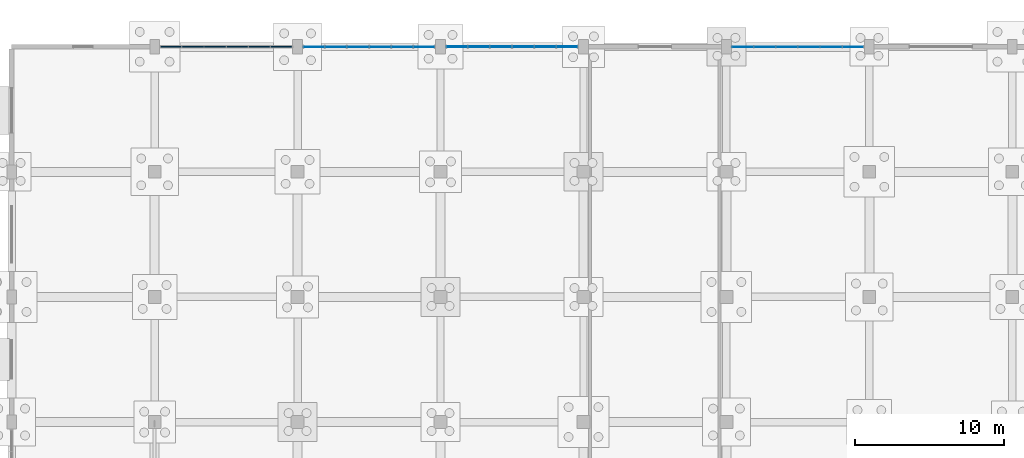
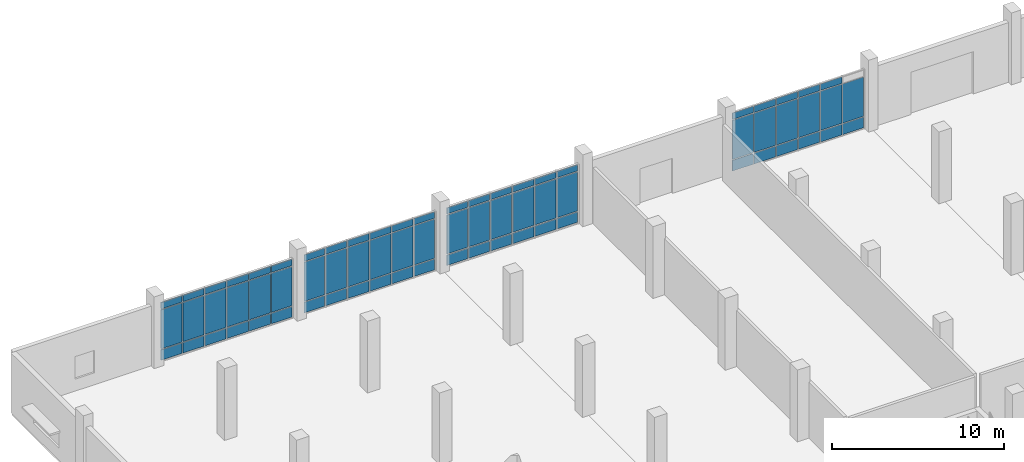
# One storey, part 91 of 136: 71 plates, 4 elements without a shape of their own.
"""IFC4 building model written with IfcOpenShell, lengths in metres."""

from ifc_helpers import new_model, si_unit, direction, frame, origin, origin_2d, place, context, subcontext, project, spatial, rectangle, extrude, material, layer, layer_set, type_object, element, aggregate, save


model = new_model("IFC4")

# Units and contexts
model_context = context("Model", 3, precision=1e-05, world=origin(), true_north=direction((0.0, 1.0)))
body_context = subcontext(model_context, "Body", "Model", "MODEL_VIEW")
ifc_project = project(units=[si_unit("LENGTHUNIT", "METRE"), si_unit("AREAUNIT", "SQUARE_METRE"), si_unit("VOLUMEUNIT", "CUBIC_METRE"), si_unit("PLANEANGLEUNIT", "RADIAN"), si_unit("MASSUNIT", "GRAM", prefix="KILO")], contexts=[model_context])

# Site, building, storey
site_placement = place(None, origin())
site = spatial("IfcSite", under=ifc_project, at=site_placement, CompositionType="ELEMENT")
building_placement = place(site_placement, origin())
building = spatial("IfcBuilding", under=site, at=building_placement, Name="Oolite Switchyard Hospital", CompositionType="ELEMENT")
storey_placement = place(building_placement, origin())
storey = spatial("IfcBuildingStorey", under=building, at=storey_placement, Name="L00", CompositionType="ELEMENT", Elevation=0.0)

# Curtain wall, plates
ifc_material_1 = material(Name="Thermally broken aluminum frame with laminated impact glazing", Category="aluminium")
curtain_wall_type = type_object("IfcCurtainWallType", Name="CW-UNIT-96X51", PredefinedType="USERDEFINED", material=ifc_material_1)
curtain_wall_1_placement = place(storey_placement, origin())
curtain_wall_1 = element("IfcCurtainWall", 1, at=curtain_wall_1_placement, inside=storey, type_object=curtain_wall_type, Name="L00 Unitised Curtain Wall 45", ObjectType="UNITISED", PredefinedType="USERDEFINED")
ifc_material_2 = material(Name="Insulated fluoropolymer-coated aluminum spandrel panel", Category="aluminium")
ifc_layer_1 = layer(ifc_material_2, 0.070068359375)
ifc_layer_set_1 = layer_set([ifc_layer_1], Name="CW-PNL-SPN70")
plate_type_1 = type_object("IfcPlateType", Name="CW-PNL-SPN70", PredefinedType="CURTAIN_PANEL", material=ifc_layer_set_1)
plate_1_placement = place(storey_placement, frame((10.6982421875, 134.39990234375, 0.0751953125), z_axis=(0.0, 0.0, 1.0), x_axis=(1.0, 0.0, 0.0)))
plate_1 = element("IfcPlate", 2, at=plate_1_placement, type_object=plate_type_1, Name="CW-01 panel 1.1", PredefinedType="CURTAIN_PANEL", context=body_context, shape_type="SweptSolid", body=[
    extrude(rectangle(XDim=1.396728515625, YDim=0.070068359375, at=origin_2d()), origin(), (0.0, 0.0, 1.0), 0.737548828125),
])
plate_2_placement = place(storey_placement, frame((10.6982421875, 134.39990234375, 0.8876953125), z_axis=(0.0, 0.0, 1.0), x_axis=(1.0, 0.0, 0.0)))
plate_2 = element("IfcPlate", 3, at=plate_2_placement, type_object=plate_type_1, Name="CW-01 panel 1.2", PredefinedType="CURTAIN_PANEL", context=body_context, shape_type="SweptSolid", body=[
    extrude(rectangle(XDim=1.396728515625, YDim=0.070068359375, at=origin_2d()), origin(), (0.0, 0.0, 1.0), 2.764892578125),
])
plate_3_placement = place(storey_placement, frame((10.6982421875, 134.39990234375, 3.7275390625), z_axis=(0.0, 0.0, 1.0), x_axis=(1.0, 0.0, 0.0)))
plate_3 = element("IfcPlate", 4, at=plate_3_placement, type_object=plate_type_1, Name="CW-01 panel 1.3", PredefinedType="CURTAIN_PANEL", context=body_context, shape_type="SweptSolid", body=[
    extrude(rectangle(XDim=1.396728515625, YDim=0.070068359375, at=origin_2d()), origin(), (0.0, 0.0, 1.0), 0.4375),
])
plate_4_placement = place(storey_placement, frame((12.169921875, 134.39990234375, 0.0751953125), z_axis=(0.0, 0.0, 1.0), x_axis=(1.0, 0.0, 0.0)))
plate_4 = element("IfcPlate", 5, at=plate_4_placement, type_object=plate_type_1, Name="CW-01 panel 2.1", PredefinedType="CURTAIN_PANEL", context=body_context, shape_type="SweptSolid", body=[
    extrude(rectangle(XDim=1.4267578125, YDim=0.070068359375, at=origin_2d()), origin(), (0.0, 0.0, 1.0), 0.737548828125),
])
plate_5_placement = place(storey_placement, frame((12.169921875, 134.39990234375, 0.8876953125), z_axis=(0.0, 0.0, 1.0), x_axis=(1.0, 0.0, 0.0)))
plate_5 = element("IfcPlate", 6, at=plate_5_placement, type_object=plate_type_1, Name="CW-01 panel 2.2", PredefinedType="CURTAIN_PANEL", context=body_context, shape_type="SweptSolid", body=[
    extrude(rectangle(XDim=1.4267578125, YDim=0.070068359375, at=origin_2d()), origin(), (0.0, 0.0, 1.0), 2.764892578125),
])
plate_6_placement = place(storey_placement, frame((12.169921875, 134.39990234375, 3.7275390625), z_axis=(0.0, 0.0, 1.0), x_axis=(1.0, 0.0, 0.0)))
plate_6 = element("IfcPlate", 7, at=plate_6_placement, type_object=plate_type_1, Name="CW-01 panel 2.3", PredefinedType="CURTAIN_PANEL", context=body_context, shape_type="SweptSolid", body=[
    extrude(rectangle(XDim=1.4267578125, YDim=0.070068359375, at=origin_2d()), origin(), (0.0, 0.0, 1.0), 0.4375),
])
plate_7_placement = place(storey_placement, frame((13.65673828125, 134.39990234375, 0.0751953125), z_axis=(0.0, 0.0, 1.0), x_axis=(1.0, 0.0, 0.0)))
plate_7 = element("IfcPlate", 8, at=plate_7_placement, type_object=plate_type_1, Name="CW-01 panel 3.1", PredefinedType="CURTAIN_PANEL", context=body_context, shape_type="SweptSolid", body=[
    extrude(rectangle(XDim=1.4267578125, YDim=0.070068359375, at=origin_2d()), origin(), (0.0, 0.0, 1.0), 0.737548828125),
])
plate_8_placement = place(storey_placement, frame((13.65673828125, 134.39990234375, 0.8876953125), z_axis=(0.0, 0.0, 1.0), x_axis=(1.0, 0.0, 0.0)))
plate_8 = element("IfcPlate", 9, at=plate_8_placement, type_object=plate_type_1, Name="CW-01 panel 3.2", PredefinedType="CURTAIN_PANEL", context=body_context, shape_type="SweptSolid", body=[
    extrude(rectangle(XDim=1.4267578125, YDim=0.070068359375, at=origin_2d()), origin(), (0.0, 0.0, 1.0), 2.764892578125),
])
plate_9_placement = place(storey_placement, frame((13.65673828125, 134.39990234375, 3.7275390625), z_axis=(0.0, 0.0, 1.0), x_axis=(1.0, 0.0, 0.0)))
plate_9 = element("IfcPlate", 10, at=plate_9_placement, type_object=plate_type_1, Name="CW-01 panel 3.3", PredefinedType="CURTAIN_PANEL", context=body_context, shape_type="SweptSolid", body=[
    extrude(rectangle(XDim=1.4267578125, YDim=0.070068359375, at=origin_2d()), origin(), (0.0, 0.0, 1.0), 0.4375),
])
plate_10_placement = place(storey_placement, frame((15.143310546875, 134.39990234375, 0.0751953125), z_axis=(0.0, 0.0, 1.0), x_axis=(1.0, 0.0, 0.0)))
plate_10 = element("IfcPlate", 11, at=plate_10_placement, type_object=plate_type_1, Name="CW-01 panel 4.1", PredefinedType="CURTAIN_PANEL", context=body_context, shape_type="SweptSolid", body=[
    extrude(rectangle(XDim=1.4267578125, YDim=0.070068359375, at=origin_2d()), origin(), (0.0, 0.0, 1.0), 0.737548828125),
])
plate_11_placement = place(storey_placement, frame((15.143310546875, 134.39990234375, 0.8876953125), z_axis=(0.0, 0.0, 1.0), x_axis=(1.0, 0.0, 0.0)))
plate_11 = element("IfcPlate", 12, at=plate_11_placement, type_object=plate_type_1, Name="CW-01 panel 4.2", PredefinedType="CURTAIN_PANEL", context=body_context, shape_type="SweptSolid", body=[
    extrude(rectangle(XDim=1.4267578125, YDim=0.070068359375, at=origin_2d()), origin(), (0.0, 0.0, 1.0), 2.764892578125),
])
plate_12_placement = place(storey_placement, frame((15.143310546875, 134.39990234375, 3.7275390625), z_axis=(0.0, 0.0, 1.0), x_axis=(1.0, 0.0, 0.0)))
plate_12 = element("IfcPlate", 13, at=plate_12_placement, type_object=plate_type_1, Name="CW-01 panel 4.3", PredefinedType="CURTAIN_PANEL", context=body_context, shape_type="SweptSolid", body=[
    extrude(rectangle(XDim=1.4267578125, YDim=0.070068359375, at=origin_2d()), origin(), (0.0, 0.0, 1.0), 0.4375),
])
plate_13_placement = place(storey_placement, frame((16.6298828125, 134.39990234375, 0.0751953125), z_axis=(0.0, 0.0, 1.0), x_axis=(1.0, 0.0, 0.0)))
plate_13 = element("IfcPlate", 14, at=plate_13_placement, type_object=plate_type_1, Name="CW-01 panel 5.1", PredefinedType="CURTAIN_PANEL", context=body_context, shape_type="SweptSolid", body=[
    extrude(rectangle(XDim=1.4267578125, YDim=0.070068359375, at=origin_2d()), origin(), (0.0, 0.0, 1.0), 0.737548828125),
])
plate_14_placement = place(storey_placement, frame((16.6298828125, 134.39990234375, 0.8876953125), z_axis=(0.0, 0.0, 1.0), x_axis=(1.0, 0.0, 0.0)))
plate_14 = element("IfcPlate", 15, at=plate_14_placement, type_object=plate_type_1, Name="CW-01 panel 5.2", PredefinedType="CURTAIN_PANEL", context=body_context, shape_type="SweptSolid", body=[
    extrude(rectangle(XDim=1.4267578125, YDim=0.070068359375, at=origin_2d()), origin(), (0.0, 0.0, 1.0), 2.764892578125),
])
plate_15_placement = place(storey_placement, frame((16.6298828125, 134.39990234375, 3.7275390625), z_axis=(0.0, 0.0, 1.0), x_axis=(1.0, 0.0, 0.0)))
plate_15 = element("IfcPlate", 16, at=plate_15_placement, type_object=plate_type_1, Name="CW-01 panel 5.3", PredefinedType="CURTAIN_PANEL", context=body_context, shape_type="SweptSolid", body=[
    extrude(rectangle(XDim=1.4267578125, YDim=0.070068359375, at=origin_2d()), origin(), (0.0, 0.0, 1.0), 0.4375),
])
plate_16_placement = place(storey_placement, frame((18.1015625, 134.39990234375, 0.0751953125), z_axis=(0.0, 0.0, 1.0), x_axis=(1.0, 0.0, 0.0)))
plate_16 = element("IfcPlate", 17, at=plate_16_placement, type_object=plate_type_1, Name="CW-01 panel 6.1", PredefinedType="CURTAIN_PANEL", context=body_context, shape_type="SweptSolid", body=[
    extrude(rectangle(XDim=1.396728515625, YDim=0.070068359375, at=origin_2d()), origin(), (0.0, 0.0, 1.0), 0.737548828125),
])
plate_17_placement = place(storey_placement, frame((18.1015625, 134.39990234375, 0.8876953125), z_axis=(0.0, 0.0, 1.0), x_axis=(1.0, 0.0, 0.0)))
plate_17 = element("IfcPlate", 18, at=plate_17_placement, type_object=plate_type_1, Name="CW-01 panel 6.2", PredefinedType="CURTAIN_PANEL", context=body_context, shape_type="SweptSolid", body=[
    extrude(rectangle(XDim=1.396728515625, YDim=0.070068359375, at=origin_2d()), origin(), (0.0, 0.0, 1.0), 2.764892578125),
])
plate_18_placement = place(storey_placement, frame((18.1015625, 134.39990234375, 3.7275390625), z_axis=(0.0, 0.0, 1.0), x_axis=(1.0, 0.0, 0.0)))
plate_18 = element("IfcPlate", 19, at=plate_18_placement, type_object=plate_type_1, Name="CW-01 panel 6.3", PredefinedType="CURTAIN_PANEL", context=body_context, shape_type="SweptSolid", body=[
    extrude(rectangle(XDim=1.396728515625, YDim=0.070068359375, at=origin_2d()), origin(), (0.0, 0.0, 1.0), 0.4375),
])
aggregate(curtain_wall_1, [plate_1, plate_2, plate_3, plate_4, plate_5, plate_6, plate_7, plate_8, plate_9, plate_10, plate_11, plate_12, plate_13, plate_14, plate_15, plate_16, plate_17, plate_18])

curtain_wall_2_placement = place(storey_placement, origin())
curtain_wall_2 = element("IfcCurtainWall", 20, at=curtain_wall_2_placement, inside=storey, type_object=curtain_wall_type, Name="L00 Unitised Curtain Wall 48", ObjectType="UNITISED", PredefinedType="USERDEFINED")
ifc_material_3 = material(Name="Laminated hurricane-impact insulated glazing unit", Category="glass")
ifc_layer_2 = layer(ifc_material_3, 0.028076171875)
ifc_layer_set_2 = layer_set([ifc_layer_2], Name="CW-PNL-VIS28")
plate_type_2 = type_object("IfcPlateType", Name="CW-PNL-VIS28", PredefinedType="CURTAIN_PANEL", material=ifc_layer_set_2)
plate_19_placement = place(storey_placement, frame((49.098388671875, 134.39990234375, 0.06005859375), z_axis=(0.0, 0.0, 1.0), x_axis=(1.0, 0.0, 0.0)))
plate_19 = element("IfcPlate", 21, at=plate_19_placement, type_object=plate_type_2, Name="CW-01 panel 1.1", PredefinedType="CURTAIN_PANEL", context=body_context, shape_type="SweptSolid", body=[
    extrude(rectangle(XDim=1.396728515625, YDim=0.028076171875, at=origin_2d()), origin(), (0.0, 0.0, 1.0), 0.760009765625),
])
plate_20_placement = place(storey_placement, frame((49.098388671875, 134.39990234375, 0.8798828125), z_axis=(0.0, 0.0, 1.0), x_axis=(1.0, 0.0, 0.0)))
plate_20 = element("IfcPlate", 22, at=plate_20_placement, type_object=plate_type_2, Name="CW-01 panel 1.2", PredefinedType="CURTAIN_PANEL", context=body_context, shape_type="SweptSolid", body=[
    extrude(rectangle(XDim=1.396728515625, YDim=0.028076171875, at=origin_2d()), origin(), (0.0, 0.0, 1.0), 2.780029296875),
])
plate_21_placement = place(storey_placement, frame((49.098388671875, 134.39990234375, 3.719970703125), z_axis=(0.0, 0.0, 1.0), x_axis=(1.0, 0.0, 0.0)))
plate_21 = element("IfcPlate", 23, at=plate_21_placement, type_object=plate_type_2, Name="CW-01 panel 1.3", PredefinedType="CURTAIN_PANEL", context=body_context, shape_type="SweptSolid", body=[
    extrude(rectangle(XDim=1.396728515625, YDim=0.028076171875, at=origin_2d()), origin(), (0.0, 0.0, 1.0), 0.4599609375),
])
plate_22_placement = place(storey_placement, frame((50.570068359375, 134.39990234375, 0.06005859375), z_axis=(0.0, 0.0, 1.0), x_axis=(1.0, 0.0, 0.0)))
plate_22 = element("IfcPlate", 24, at=plate_22_placement, type_object=plate_type_2, Name="CW-01 panel 2.1", PredefinedType="CURTAIN_PANEL", context=body_context, shape_type="SweptSolid", body=[
    extrude(rectangle(XDim=1.4267578125, YDim=0.028076171875, at=origin_2d()), origin(), (0.0, 0.0, 1.0), 0.760009765625),
])
plate_23_placement = place(storey_placement, frame((50.570068359375, 134.39990234375, 0.8798828125), z_axis=(0.0, 0.0, 1.0), x_axis=(1.0, 0.0, 0.0)))
plate_23 = element("IfcPlate", 25, at=plate_23_placement, type_object=plate_type_2, Name="CW-01 panel 2.2", PredefinedType="CURTAIN_PANEL", context=body_context, shape_type="SweptSolid", body=[
    extrude(rectangle(XDim=1.4267578125, YDim=0.028076171875, at=origin_2d()), origin(), (0.0, 0.0, 1.0), 2.780029296875),
])
plate_24_placement = place(storey_placement, frame((50.570068359375, 134.39990234375, 3.719970703125), z_axis=(0.0, 0.0, 1.0), x_axis=(1.0, 0.0, 0.0)))
plate_24 = element("IfcPlate", 26, at=plate_24_placement, type_object=plate_type_2, Name="CW-01 panel 2.3", PredefinedType="CURTAIN_PANEL", context=body_context, shape_type="SweptSolid", body=[
    extrude(rectangle(XDim=1.4267578125, YDim=0.028076171875, at=origin_2d()), origin(), (0.0, 0.0, 1.0), 0.4599609375),
])
plate_25_placement = place(storey_placement, frame((52.056640625, 134.39990234375, 0.06005859375), z_axis=(0.0, 0.0, 1.0), x_axis=(1.0, 0.0, 0.0)))
plate_25 = element("IfcPlate", 27, at=plate_25_placement, type_object=plate_type_2, Name="CW-01 panel 3.1", PredefinedType="CURTAIN_PANEL", context=body_context, shape_type="SweptSolid", body=[
    extrude(rectangle(XDim=1.4267578125, YDim=0.028076171875, at=origin_2d()), origin(), (0.0, 0.0, 1.0), 0.760009765625),
])
plate_26_placement = place(storey_placement, frame((52.056640625, 134.39990234375, 0.8798828125), z_axis=(0.0, 0.0, 1.0), x_axis=(1.0, 0.0, 0.0)))
plate_26 = element("IfcPlate", 28, at=plate_26_placement, type_object=plate_type_2, Name="CW-01 panel 3.2", PredefinedType="CURTAIN_PANEL", context=body_context, shape_type="SweptSolid", body=[
    extrude(rectangle(XDim=1.4267578125, YDim=0.028076171875, at=origin_2d()), origin(), (0.0, 0.0, 1.0), 2.780029296875),
])
plate_27_placement = place(storey_placement, frame((52.056640625, 134.39990234375, 3.719970703125), z_axis=(0.0, 0.0, 1.0), x_axis=(1.0, 0.0, 0.0)))
plate_27 = element("IfcPlate", 29, at=plate_27_placement, type_object=plate_type_2, Name="CW-01 panel 3.3", PredefinedType="CURTAIN_PANEL", context=body_context, shape_type="SweptSolid", body=[
    extrude(rectangle(XDim=1.4267578125, YDim=0.028076171875, at=origin_2d()), origin(), (0.0, 0.0, 1.0), 0.4599609375),
])
plate_28_placement = place(storey_placement, frame((53.543212890625, 134.39990234375, 0.06005859375), z_axis=(0.0, 0.0, 1.0), x_axis=(1.0, 0.0, 0.0)))
plate_28 = element("IfcPlate", 30, at=plate_28_placement, type_object=plate_type_2, Name="CW-01 panel 4.1", PredefinedType="CURTAIN_PANEL", context=body_context, shape_type="SweptSolid", body=[
    extrude(rectangle(XDim=1.4267578125, YDim=0.028076171875, at=origin_2d()), origin(), (0.0, 0.0, 1.0), 0.760009765625),
])
plate_29_placement = place(storey_placement, frame((53.543212890625, 134.39990234375, 0.8798828125), z_axis=(0.0, 0.0, 1.0), x_axis=(1.0, 0.0, 0.0)))
plate_29 = element("IfcPlate", 31, at=plate_29_placement, type_object=plate_type_2, Name="CW-01 panel 4.2", PredefinedType="CURTAIN_PANEL", context=body_context, shape_type="SweptSolid", body=[
    extrude(rectangle(XDim=1.4267578125, YDim=0.028076171875, at=origin_2d()), origin(), (0.0, 0.0, 1.0), 2.780029296875),
])
plate_30_placement = place(storey_placement, frame((53.543212890625, 134.39990234375, 3.719970703125), z_axis=(0.0, 0.0, 1.0), x_axis=(1.0, 0.0, 0.0)))
plate_30 = element("IfcPlate", 32, at=plate_30_placement, type_object=plate_type_2, Name="CW-01 panel 4.3", PredefinedType="CURTAIN_PANEL", context=body_context, shape_type="SweptSolid", body=[
    extrude(rectangle(XDim=1.4267578125, YDim=0.028076171875, at=origin_2d()), origin(), (0.0, 0.0, 1.0), 0.4599609375),
])
plate_31_placement = place(storey_placement, frame((55.030029296875, 134.39990234375, 0.06005859375), z_axis=(0.0, 0.0, 1.0), x_axis=(1.0, 0.0, 0.0)))
plate_31 = element("IfcPlate", 33, at=plate_31_placement, type_object=plate_type_2, Name="CW-01 panel 5.1", PredefinedType="CURTAIN_PANEL", context=body_context, shape_type="SweptSolid", body=[
    extrude(rectangle(XDim=1.4267578125, YDim=0.028076171875, at=origin_2d()), origin(), (0.0, 0.0, 1.0), 0.760009765625),
])
plate_32_placement = place(storey_placement, frame((55.030029296875, 134.39990234375, 0.8798828125), z_axis=(0.0, 0.0, 1.0), x_axis=(1.0, 0.0, 0.0)))
plate_32 = element("IfcPlate", 34, at=plate_32_placement, type_object=plate_type_2, Name="CW-01 panel 5.2", PredefinedType="CURTAIN_PANEL", context=body_context, shape_type="SweptSolid", body=[
    extrude(rectangle(XDim=1.4267578125, YDim=0.028076171875, at=origin_2d()), origin(), (0.0, 0.0, 1.0), 2.780029296875),
])
plate_33_placement = place(storey_placement, frame((55.030029296875, 134.39990234375, 3.719970703125), z_axis=(0.0, 0.0, 1.0), x_axis=(1.0, 0.0, 0.0)))
plate_33 = element("IfcPlate", 35, at=plate_33_placement, type_object=plate_type_2, Name="CW-01 panel 5.3", PredefinedType="CURTAIN_PANEL", context=body_context, shape_type="SweptSolid", body=[
    extrude(rectangle(XDim=1.4267578125, YDim=0.028076171875, at=origin_2d()), origin(), (0.0, 0.0, 1.0), 0.4599609375),
])
plate_34_placement = place(storey_placement, frame((56.501708984375, 134.39990234375, 0.06005859375), z_axis=(0.0, 0.0, 1.0), x_axis=(1.0, 0.0, 0.0)))
plate_34 = element("IfcPlate", 36, at=plate_34_placement, type_object=plate_type_2, Name="CW-01 panel 6.1", PredefinedType="CURTAIN_PANEL", context=body_context, shape_type="SweptSolid", body=[
    extrude(rectangle(XDim=1.396728515625, YDim=0.028076171875, at=origin_2d()), origin(), (0.0, 0.0, 1.0), 0.760009765625),
])
plate_35_placement = place(storey_placement, frame((56.501708984375, 134.39990234375, 0.8798828125), z_axis=(0.0, 0.0, 1.0), x_axis=(1.0, 0.0, 0.0)))
plate_35 = element("IfcPlate", 37, at=plate_35_placement, type_object=plate_type_2, Name="CW-01 panel 6.2", PredefinedType="CURTAIN_PANEL", context=body_context, shape_type="SweptSolid", body=[
    extrude(rectangle(XDim=1.396728515625, YDim=0.028076171875, at=origin_2d()), origin(), (0.0, 0.0, 1.0), 2.780029296875),
])
aggregate(curtain_wall_2, [plate_19, plate_20, plate_21, plate_22, plate_23, plate_24, plate_25, plate_26, plate_27, plate_28, plate_29, plate_30, plate_31, plate_32, plate_33, plate_34, plate_35])

curtain_wall_3_placement = place(storey_placement, origin())
curtain_wall_3 = element("IfcCurtainWall", 38, at=curtain_wall_3_placement, inside=storey, type_object=curtain_wall_type, Name="L00 Unitised Curtain Wall 46", ObjectType="UNITISED", PredefinedType="USERDEFINED")
ifc_layer_3 = layer(ifc_material_3, 0.031982421875)
ifc_layer_set_3 = layer_set([ifc_layer_3], Name="CW-PNL-VIS32")
plate_type_3 = type_object("IfcPlateType", Name="CW-PNL-VIS32", PredefinedType="CURTAIN_PANEL", material=ifc_layer_set_3)
plate_36_placement = place(storey_placement, frame((20.30078125, 134.39990234375, 0.06005859375), z_axis=(0.0, 0.0, 1.0), x_axis=(1.0, 0.0, 0.0)))
plate_36 = element("IfcPlate", 39, at=plate_36_placement, type_object=plate_type_3, Name="CW-01 panel 1.1", PredefinedType="CURTAIN_PANEL", context=body_context, shape_type="SweptSolid", body=[
    extrude(rectangle(XDim=1.381591796875, YDim=0.031982421875, at=origin_2d()), origin(), (0.0, 0.0, 1.0), 0.760009765625),
])
plate_37_placement = place(storey_placement, frame((20.30078125, 134.39990234375, 0.8798828125), z_axis=(0.0, 0.0, 1.0), x_axis=(1.0, 0.0, 0.0)))
plate_37 = element("IfcPlate", 40, at=plate_37_placement, type_object=plate_type_3, Name="CW-01 panel 1.2", PredefinedType="CURTAIN_PANEL", context=body_context, shape_type="SweptSolid", body=[
    extrude(rectangle(XDim=1.381591796875, YDim=0.031982421875, at=origin_2d()), origin(), (0.0, 0.0, 1.0), 2.780029296875),
])
plate_38_placement = place(storey_placement, frame((20.30078125, 134.39990234375, 3.719970703125), z_axis=(0.0, 0.0, 1.0), x_axis=(1.0, 0.0, 0.0)))
plate_38 = element("IfcPlate", 41, at=plate_38_placement, type_object=plate_type_3, Name="CW-01 panel 1.3", PredefinedType="CURTAIN_PANEL", context=body_context, shape_type="SweptSolid", body=[
    extrude(rectangle(XDim=1.381591796875, YDim=0.031982421875, at=origin_2d()), origin(), (0.0, 0.0, 1.0), 0.4599609375),
])
plate_39_placement = place(storey_placement, frame((21.77001953125, 134.39990234375, 0.06005859375), z_axis=(0.0, 0.0, 1.0), x_axis=(1.0, 0.0, 0.0)))
plate_39 = element("IfcPlate", 42, at=plate_39_placement, type_object=plate_type_3, Name="CW-01 panel 2.1", PredefinedType="CURTAIN_PANEL", context=body_context, shape_type="SweptSolid", body=[
    extrude(rectangle(XDim=1.416748046875, YDim=0.031982421875, at=origin_2d()), origin(), (0.0, 0.0, 1.0), 0.760009765625),
])
plate_40_placement = place(storey_placement, frame((21.77001953125, 134.39990234375, 0.8798828125), z_axis=(0.0, 0.0, 1.0), x_axis=(1.0, 0.0, 0.0)))
plate_40 = element("IfcPlate", 43, at=plate_40_placement, type_object=plate_type_3, Name="CW-01 panel 2.2", PredefinedType="CURTAIN_PANEL", context=body_context, shape_type="SweptSolid", body=[
    extrude(rectangle(XDim=1.416748046875, YDim=0.031982421875, at=origin_2d()), origin(), (0.0, 0.0, 1.0), 2.780029296875),
])
plate_41_placement = place(storey_placement, frame((21.77001953125, 134.39990234375, 3.719970703125), z_axis=(0.0, 0.0, 1.0), x_axis=(1.0, 0.0, 0.0)))
plate_41 = element("IfcPlate", 44, at=plate_41_placement, type_object=plate_type_3, Name="CW-01 panel 2.3", PredefinedType="CURTAIN_PANEL", context=body_context, shape_type="SweptSolid", body=[
    extrude(rectangle(XDim=1.416748046875, YDim=0.031982421875, at=origin_2d()), origin(), (0.0, 0.0, 1.0), 0.4599609375),
])
plate_42_placement = place(storey_placement, frame((23.256591796875, 134.39990234375, 0.06005859375), z_axis=(0.0, 0.0, 1.0), x_axis=(1.0, 0.0, 0.0)))
plate_42 = element("IfcPlate", 45, at=plate_42_placement, type_object=plate_type_3, Name="CW-01 panel 3.1", PredefinedType="CURTAIN_PANEL", context=body_context, shape_type="SweptSolid", body=[
    extrude(rectangle(XDim=1.416748046875, YDim=0.031982421875, at=origin_2d()), origin(), (0.0, 0.0, 1.0), 0.760009765625),
])
plate_43_placement = place(storey_placement, frame((23.256591796875, 134.39990234375, 0.8798828125), z_axis=(0.0, 0.0, 1.0), x_axis=(1.0, 0.0, 0.0)))
plate_43 = element("IfcPlate", 46, at=plate_43_placement, type_object=plate_type_3, Name="CW-01 panel 3.2", PredefinedType="CURTAIN_PANEL", context=body_context, shape_type="SweptSolid", body=[
    extrude(rectangle(XDim=1.416748046875, YDim=0.031982421875, at=origin_2d()), origin(), (0.0, 0.0, 1.0), 2.780029296875),
])
plate_44_placement = place(storey_placement, frame((23.256591796875, 134.39990234375, 3.719970703125), z_axis=(0.0, 0.0, 1.0), x_axis=(1.0, 0.0, 0.0)))
plate_44 = element("IfcPlate", 47, at=plate_44_placement, type_object=plate_type_3, Name="CW-01 panel 3.3", PredefinedType="CURTAIN_PANEL", context=body_context, shape_type="SweptSolid", body=[
    extrude(rectangle(XDim=1.416748046875, YDim=0.031982421875, at=origin_2d()), origin(), (0.0, 0.0, 1.0), 0.4599609375),
])
plate_45_placement = place(storey_placement, frame((24.743408203125, 134.39990234375, 0.06005859375), z_axis=(0.0, 0.0, 1.0), x_axis=(1.0, 0.0, 0.0)))
plate_45 = element("IfcPlate", 48, at=plate_45_placement, type_object=plate_type_3, Name="CW-01 panel 4.1", PredefinedType="CURTAIN_PANEL", context=body_context, shape_type="SweptSolid", body=[
    extrude(rectangle(XDim=1.416748046875, YDim=0.031982421875, at=origin_2d()), origin(), (0.0, 0.0, 1.0), 0.760009765625),
])
plate_46_placement = place(storey_placement, frame((24.743408203125, 134.39990234375, 0.8798828125), z_axis=(0.0, 0.0, 1.0), x_axis=(1.0, 0.0, 0.0)))
plate_46 = element("IfcPlate", 49, at=plate_46_placement, type_object=plate_type_3, Name="CW-01 panel 4.2", PredefinedType="CURTAIN_PANEL", context=body_context, shape_type="SweptSolid", body=[
    extrude(rectangle(XDim=1.416748046875, YDim=0.031982421875, at=origin_2d()), origin(), (0.0, 0.0, 1.0), 2.780029296875),
])
plate_47_placement = place(storey_placement, frame((24.743408203125, 134.39990234375, 3.719970703125), z_axis=(0.0, 0.0, 1.0), x_axis=(1.0, 0.0, 0.0)))
plate_47 = element("IfcPlate", 50, at=plate_47_placement, type_object=plate_type_3, Name="CW-01 panel 4.3", PredefinedType="CURTAIN_PANEL", context=body_context, shape_type="SweptSolid", body=[
    extrude(rectangle(XDim=1.416748046875, YDim=0.031982421875, at=origin_2d()), origin(), (0.0, 0.0, 1.0), 0.4599609375),
])
plate_48_placement = place(storey_placement, frame((26.22998046875, 134.39990234375, 0.06005859375), z_axis=(0.0, 0.0, 1.0), x_axis=(1.0, 0.0, 0.0)))
plate_48 = element("IfcPlate", 51, at=plate_48_placement, type_object=plate_type_3, Name="CW-01 panel 5.1", PredefinedType="CURTAIN_PANEL", context=body_context, shape_type="SweptSolid", body=[
    extrude(rectangle(XDim=1.416748046875, YDim=0.031982421875, at=origin_2d()), origin(), (0.0, 0.0, 1.0), 0.760009765625),
])
plate_49_placement = place(storey_placement, frame((26.22998046875, 134.39990234375, 0.8798828125), z_axis=(0.0, 0.0, 1.0), x_axis=(1.0, 0.0, 0.0)))
plate_49 = element("IfcPlate", 52, at=plate_49_placement, type_object=plate_type_3, Name="CW-01 panel 5.2", PredefinedType="CURTAIN_PANEL", context=body_context, shape_type="SweptSolid", body=[
    extrude(rectangle(XDim=1.416748046875, YDim=0.031982421875, at=origin_2d()), origin(), (0.0, 0.0, 1.0), 2.780029296875),
])
plate_50_placement = place(storey_placement, frame((26.22998046875, 134.39990234375, 3.719970703125), z_axis=(0.0, 0.0, 1.0), x_axis=(1.0, 0.0, 0.0)))
plate_50 = element("IfcPlate", 53, at=plate_50_placement, type_object=plate_type_3, Name="CW-01 panel 5.3", PredefinedType="CURTAIN_PANEL", context=body_context, shape_type="SweptSolid", body=[
    extrude(rectangle(XDim=1.416748046875, YDim=0.031982421875, at=origin_2d()), origin(), (0.0, 0.0, 1.0), 0.4599609375),
])
plate_51_placement = place(storey_placement, frame((27.69921875, 134.39990234375, 0.06005859375), z_axis=(0.0, 0.0, 1.0), x_axis=(1.0, 0.0, 0.0)))
plate_51 = element("IfcPlate", 54, at=plate_51_placement, type_object=plate_type_3, Name="CW-01 panel 6.1", PredefinedType="CURTAIN_PANEL", context=body_context, shape_type="SweptSolid", body=[
    extrude(rectangle(XDim=1.381591796875, YDim=0.031982421875, at=origin_2d()), origin(), (0.0, 0.0, 1.0), 0.760009765625),
])
plate_52_placement = place(storey_placement, frame((27.69921875, 134.39990234375, 0.8798828125), z_axis=(0.0, 0.0, 1.0), x_axis=(1.0, 0.0, 0.0)))
plate_52 = element("IfcPlate", 55, at=plate_52_placement, type_object=plate_type_3, Name="CW-01 panel 6.2", PredefinedType="CURTAIN_PANEL", context=body_context, shape_type="SweptSolid", body=[
    extrude(rectangle(XDim=1.381591796875, YDim=0.031982421875, at=origin_2d()), origin(), (0.0, 0.0, 1.0), 2.780029296875),
])
plate_53_placement = place(storey_placement, frame((27.69921875, 134.39990234375, 3.719970703125), z_axis=(0.0, 0.0, 1.0), x_axis=(1.0, 0.0, 0.0)))
plate_53 = element("IfcPlate", 56, at=plate_53_placement, type_object=plate_type_3, Name="CW-01 panel 6.3", PredefinedType="CURTAIN_PANEL", context=body_context, shape_type="SweptSolid", body=[
    extrude(rectangle(XDim=1.381591796875, YDim=0.031982421875, at=origin_2d()), origin(), (0.0, 0.0, 1.0), 0.4599609375),
])
aggregate(curtain_wall_3, [plate_36, plate_37, plate_38, plate_39, plate_40, plate_41, plate_42, plate_43, plate_44, plate_45, plate_46, plate_47, plate_48, plate_49, plate_50, plate_51, plate_52, plate_53])

curtain_wall_4_placement = place(storey_placement, origin())
curtain_wall_4 = element("IfcCurtainWall", 57, at=curtain_wall_4_placement, inside=storey, type_object=curtain_wall_type, Name="L00 Unitised Curtain Wall 47", ObjectType="UNITISED", PredefinedType="USERDEFINED")
ifc_layer_4 = layer(ifc_material_3, 0.0419921875)
ifc_layer_set_4 = layer_set([ifc_layer_4], Name="CW-PNL-VIS42")
plate_type_4 = type_object("IfcPlateType", Name="CW-PNL-VIS42", PredefinedType="CURTAIN_PANEL", material=ifc_layer_set_4)
plate_54_placement = place(storey_placement, frame((29.902099609375, 134.39990234375, 0.0751953125), z_axis=(0.0, 0.0, 1.0), x_axis=(1.0, 0.0, 0.0)))
plate_54 = element("IfcPlate", 58, at=plate_54_placement, type_object=plate_type_4, Name="CW-01 panel 1.1", PredefinedType="CURTAIN_PANEL", context=body_context, shape_type="SweptSolid", body=[
    extrude(rectangle(XDim=1.374267578125, YDim=0.0419921875, at=origin_2d()), origin(), (0.0, 0.0, 1.0), 0.737548828125),
])
plate_55_placement = place(storey_placement, frame((29.902099609375, 134.39990234375, 0.8876953125), z_axis=(0.0, 0.0, 1.0), x_axis=(1.0, 0.0, 0.0)))
plate_55 = element("IfcPlate", 59, at=plate_55_placement, type_object=plate_type_4, Name="CW-01 panel 1.2", PredefinedType="CURTAIN_PANEL", context=body_context, shape_type="SweptSolid", body=[
    extrude(rectangle(XDim=1.374267578125, YDim=0.0419921875, at=origin_2d()), origin(), (0.0, 0.0, 1.0), 2.764892578125),
])
plate_56_placement = place(storey_placement, frame((29.902099609375, 134.39990234375, 3.7275390625), z_axis=(0.0, 0.0, 1.0), x_axis=(1.0, 0.0, 0.0)))
plate_56 = element("IfcPlate", 60, at=plate_56_placement, type_object=plate_type_4, Name="CW-01 panel 1.3", PredefinedType="CURTAIN_PANEL", context=body_context, shape_type="SweptSolid", body=[
    extrude(rectangle(XDim=1.374267578125, YDim=0.0419921875, at=origin_2d()), origin(), (0.0, 0.0, 1.0), 0.4375),
])
plate_57_placement = place(storey_placement, frame((31.3701171875, 134.39990234375, 0.0751953125), z_axis=(0.0, 0.0, 1.0), x_axis=(1.0, 0.0, 0.0)))
plate_57 = element("IfcPlate", 61, at=plate_57_placement, type_object=plate_type_4, Name="CW-01 panel 2.1", PredefinedType="CURTAIN_PANEL", context=body_context, shape_type="SweptSolid", body=[
    extrude(rectangle(XDim=1.41162109375, YDim=0.0419921875, at=origin_2d()), origin(), (0.0, 0.0, 1.0), 0.737548828125),
])
plate_58_placement = place(storey_placement, frame((31.3701171875, 134.39990234375, 0.8876953125), z_axis=(0.0, 0.0, 1.0), x_axis=(1.0, 0.0, 0.0)))
plate_58 = element("IfcPlate", 62, at=plate_58_placement, type_object=plate_type_4, Name="CW-01 panel 2.2", PredefinedType="CURTAIN_PANEL", context=body_context, shape_type="SweptSolid", body=[
    extrude(rectangle(XDim=1.41162109375, YDim=0.0419921875, at=origin_2d()), origin(), (0.0, 0.0, 1.0), 2.764892578125),
])
plate_59_placement = place(storey_placement, frame((31.3701171875, 134.39990234375, 3.7275390625), z_axis=(0.0, 0.0, 1.0), x_axis=(1.0, 0.0, 0.0)))
plate_59 = element("IfcPlate", 63, at=plate_59_placement, type_object=plate_type_4, Name="CW-01 panel 2.3", PredefinedType="CURTAIN_PANEL", context=body_context, shape_type="SweptSolid", body=[
    extrude(rectangle(XDim=1.41162109375, YDim=0.0419921875, at=origin_2d()), origin(), (0.0, 0.0, 1.0), 0.4375),
])
plate_60_placement = place(storey_placement, frame((32.856689453125, 134.39990234375, 0.0751953125), z_axis=(0.0, 0.0, 1.0), x_axis=(1.0, 0.0, 0.0)))
plate_60 = element("IfcPlate", 64, at=plate_60_placement, type_object=plate_type_4, Name="CW-01 panel 3.1", PredefinedType="CURTAIN_PANEL", context=body_context, shape_type="SweptSolid", body=[
    extrude(rectangle(XDim=1.41162109375, YDim=0.0419921875, at=origin_2d()), origin(), (0.0, 0.0, 1.0), 0.737548828125),
])
plate_61_placement = place(storey_placement, frame((32.856689453125, 134.39990234375, 0.8876953125), z_axis=(0.0, 0.0, 1.0), x_axis=(1.0, 0.0, 0.0)))
plate_61 = element("IfcPlate", 65, at=plate_61_placement, type_object=plate_type_4, Name="CW-01 panel 3.2", PredefinedType="CURTAIN_PANEL", context=body_context, shape_type="SweptSolid", body=[
    extrude(rectangle(XDim=1.41162109375, YDim=0.0419921875, at=origin_2d()), origin(), (0.0, 0.0, 1.0), 2.764892578125),
])
plate_62_placement = place(storey_placement, frame((32.856689453125, 134.39990234375, 3.7275390625), z_axis=(0.0, 0.0, 1.0), x_axis=(1.0, 0.0, 0.0)))
plate_62 = element("IfcPlate", 66, at=plate_62_placement, type_object=plate_type_4, Name="CW-01 panel 3.3", PredefinedType="CURTAIN_PANEL", context=body_context, shape_type="SweptSolid", body=[
    extrude(rectangle(XDim=1.41162109375, YDim=0.0419921875, at=origin_2d()), origin(), (0.0, 0.0, 1.0), 0.4375),
])
plate_63_placement = place(storey_placement, frame((34.34326171875, 134.39990234375, 0.0751953125), z_axis=(0.0, 0.0, 1.0), x_axis=(1.0, 0.0, 0.0)))
plate_63 = element("IfcPlate", 67, at=plate_63_placement, type_object=plate_type_4, Name="CW-01 panel 4.1", PredefinedType="CURTAIN_PANEL", context=body_context, shape_type="SweptSolid", body=[
    extrude(rectangle(XDim=1.41162109375, YDim=0.0419921875, at=origin_2d()), origin(), (0.0, 0.0, 1.0), 0.737548828125),
])
plate_64_placement = place(storey_placement, frame((34.34326171875, 134.39990234375, 0.8876953125), z_axis=(0.0, 0.0, 1.0), x_axis=(1.0, 0.0, 0.0)))
plate_64 = element("IfcPlate", 68, at=plate_64_placement, type_object=plate_type_4, Name="CW-01 panel 4.2", PredefinedType="CURTAIN_PANEL", context=body_context, shape_type="SweptSolid", body=[
    extrude(rectangle(XDim=1.41162109375, YDim=0.0419921875, at=origin_2d()), origin(), (0.0, 0.0, 1.0), 2.764892578125),
])
plate_65_placement = place(storey_placement, frame((34.34326171875, 134.39990234375, 3.7275390625), z_axis=(0.0, 0.0, 1.0), x_axis=(1.0, 0.0, 0.0)))
plate_65 = element("IfcPlate", 69, at=plate_65_placement, type_object=plate_type_4, Name="CW-01 panel 4.3", PredefinedType="CURTAIN_PANEL", context=body_context, shape_type="SweptSolid", body=[
    extrude(rectangle(XDim=1.41162109375, YDim=0.0419921875, at=origin_2d()), origin(), (0.0, 0.0, 1.0), 0.4375),
])
plate_66_placement = place(storey_placement, frame((35.830078125, 134.39990234375, 0.0751953125), z_axis=(0.0, 0.0, 1.0), x_axis=(1.0, 0.0, 0.0)))
plate_66 = element("IfcPlate", 70, at=plate_66_placement, type_object=plate_type_4, Name="CW-01 panel 5.1", PredefinedType="CURTAIN_PANEL", context=body_context, shape_type="SweptSolid", body=[
    extrude(rectangle(XDim=1.41162109375, YDim=0.0419921875, at=origin_2d()), origin(), (0.0, 0.0, 1.0), 0.737548828125),
])
plate_67_placement = place(storey_placement, frame((35.830078125, 134.39990234375, 0.8876953125), z_axis=(0.0, 0.0, 1.0), x_axis=(1.0, 0.0, 0.0)))
plate_67 = element("IfcPlate", 71, at=plate_67_placement, type_object=plate_type_4, Name="CW-01 panel 5.2", PredefinedType="CURTAIN_PANEL", context=body_context, shape_type="SweptSolid", body=[
    extrude(rectangle(XDim=1.41162109375, YDim=0.0419921875, at=origin_2d()), origin(), (0.0, 0.0, 1.0), 2.764892578125),
])
plate_68_placement = place(storey_placement, frame((35.830078125, 134.39990234375, 3.7275390625), z_axis=(0.0, 0.0, 1.0), x_axis=(1.0, 0.0, 0.0)))
plate_68 = element("IfcPlate", 72, at=plate_68_placement, type_object=plate_type_4, Name="CW-01 panel 5.3", PredefinedType="CURTAIN_PANEL", context=body_context, shape_type="SweptSolid", body=[
    extrude(rectangle(XDim=1.41162109375, YDim=0.0419921875, at=origin_2d()), origin(), (0.0, 0.0, 1.0), 0.4375),
])
plate_69_placement = place(storey_placement, frame((37.2978515625, 134.39990234375, 0.0751953125), z_axis=(0.0, 0.0, 1.0), x_axis=(1.0, 0.0, 0.0)))
plate_69 = element("IfcPlate", 73, at=plate_69_placement, type_object=plate_type_4, Name="CW-01 panel 6.1", PredefinedType="CURTAIN_PANEL", context=body_context, shape_type="SweptSolid", body=[
    extrude(rectangle(XDim=1.374267578125, YDim=0.0419921875, at=origin_2d()), origin(), (0.0, 0.0, 1.0), 0.737548828125),
])
plate_70_placement = place(storey_placement, frame((37.2978515625, 134.39990234375, 0.8876953125), z_axis=(0.0, 0.0, 1.0), x_axis=(1.0, 0.0, 0.0)))
plate_70 = element("IfcPlate", 74, at=plate_70_placement, type_object=plate_type_4, Name="CW-01 panel 6.2", PredefinedType="CURTAIN_PANEL", context=body_context, shape_type="SweptSolid", body=[
    extrude(rectangle(XDim=1.374267578125, YDim=0.0419921875, at=origin_2d()), origin(), (0.0, 0.0, 1.0), 2.764892578125),
])
plate_71_placement = place(storey_placement, frame((37.2978515625, 134.39990234375, 3.7275390625), z_axis=(0.0, 0.0, 1.0), x_axis=(1.0, 0.0, 0.0)))
plate_71 = element("IfcPlate", 75, at=plate_71_placement, type_object=plate_type_4, Name="CW-01 panel 6.3", PredefinedType="CURTAIN_PANEL", context=body_context, shape_type="SweptSolid", body=[
    extrude(rectangle(XDim=1.374267578125, YDim=0.0419921875, at=origin_2d()), origin(), (0.0, 0.0, 1.0), 0.4375),
])
aggregate(curtain_wall_4, [plate_54, plate_55, plate_56, plate_57, plate_58, plate_59, plate_60, plate_61, plate_62, plate_63, plate_64, plate_65, plate_66, plate_67, plate_68, plate_69, plate_70, plate_71])

save(model, "model.ifc")
